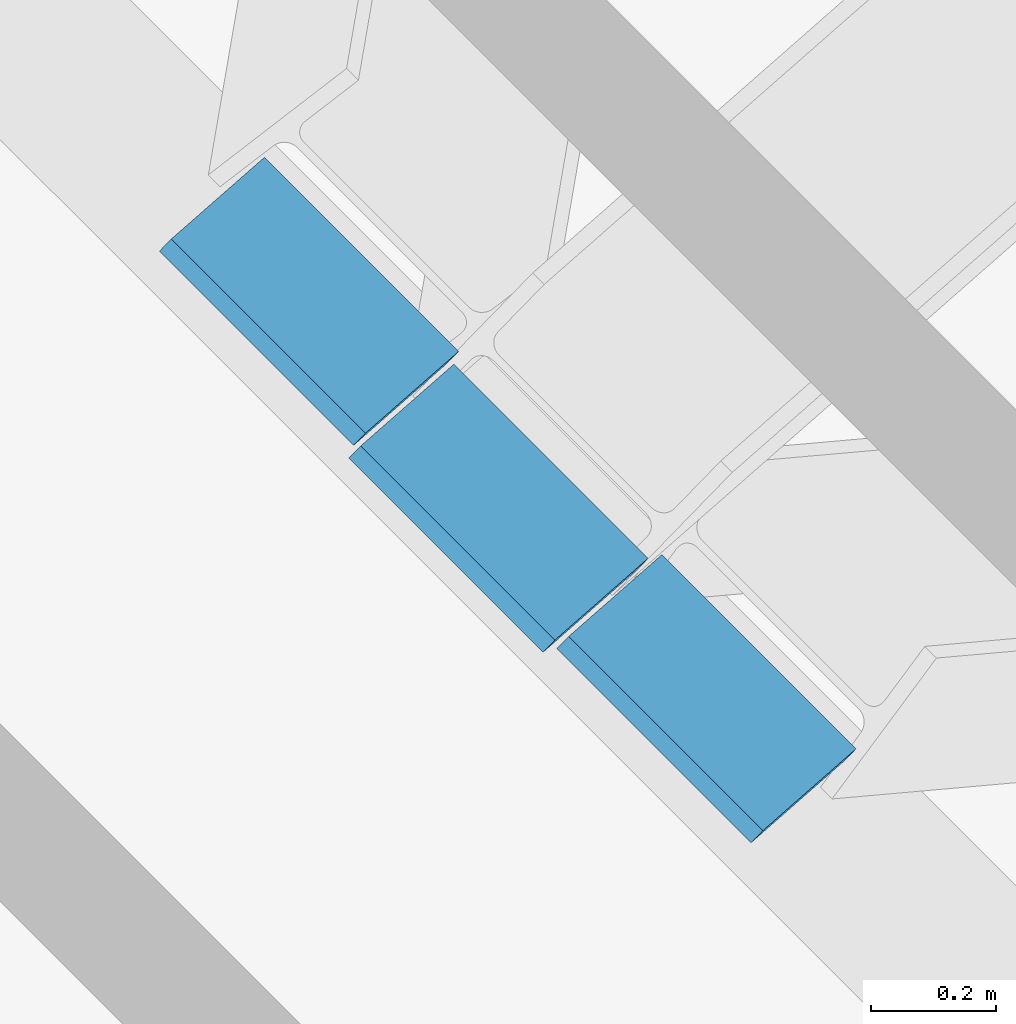
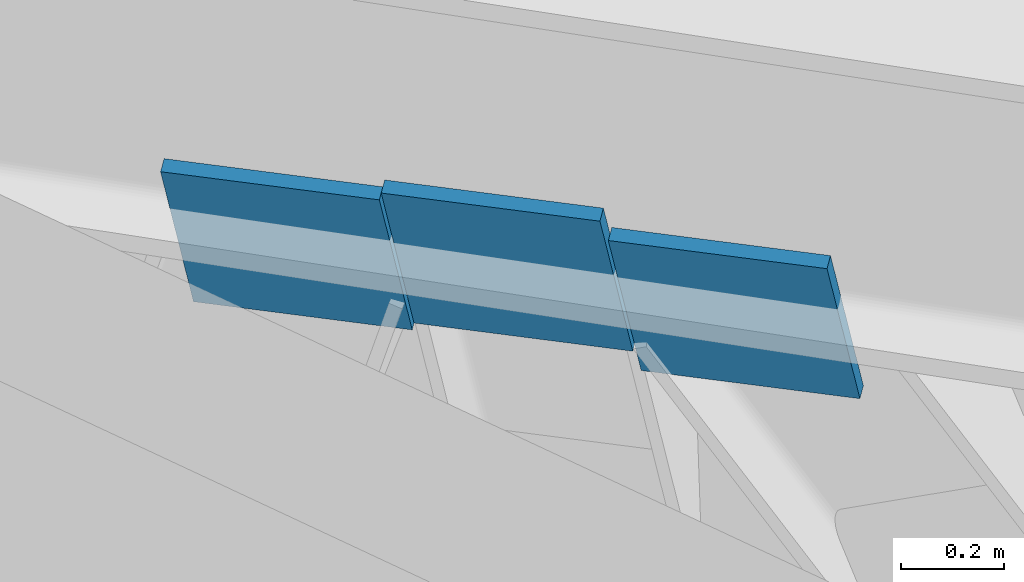
# One storey, part 17 of 24: 3 discrete accessories.
"""IFC4 building model written with IfcOpenShell, lengths in metres."""

from ifc_helpers import new_model, si_unit, direction, frame, origin, origin_2d, place, context, subcontext, project, spatial, rectangle, extrude, material, layer, layer_set, type_object, element, save


model = new_model("IFC4")

# Units and contexts
model_context = context("Model", 3, precision=1e-05, world=origin(), true_north=direction((0.0, 1.0)))
body_context = subcontext(model_context, "Body", "Model", "MODEL_VIEW")
ifc_project = project(units=[si_unit("LENGTHUNIT", "METRE"), si_unit("AREAUNIT", "SQUARE_METRE"), si_unit("VOLUMEUNIT", "CUBIC_METRE"), si_unit("PLANEANGLEUNIT", "RADIAN"), si_unit("MASSUNIT", "GRAM", prefix="KILO")], contexts=[model_context])

# Site, building, storey
site_placement = place(None, origin())
site = spatial("IfcSite", under=ifc_project, at=site_placement, CompositionType="ELEMENT")
building_placement = place(site_placement, origin())
building = spatial("IfcBuilding", under=site, at=building_placement, Name="Mopane Tessera Tower", CompositionType="ELEMENT")
storey_placement = place(building_placement, frame((0.0, 0.0, 148.60009765625)))
storey = spatial("IfcBuildingStorey", under=building, at=storey_placement, Name="L30", CompositionType="ELEMENT", Elevation=148.60009765625)

# Discrete accessories
ifc_material = material(Name="Structural steel S460", Category="steel")
ifc_layer = layer(ifc_material, 0.030029296875)
ifc_layer_set = layer_set([ifc_layer], Name="Structural steel S460")
discrete_accessory_type = type_object("IfcDiscreteAccessoryType", Name="Truss node plate 30 mm", PredefinedType="BRACKET", material=ifc_layer_set)
for number, where, z_axis, x_axis, name in (
    (1, (23.366455078125, 19.4755859375, 7.02099609375), (-0.309393348836, -0.271290719669, 0.911414889673), (-0.636311085764, -0.653187245506, -0.410432240987), "Truss node plate s bt L30 E3-N0 2"),
    (2, (23.034912109375, 19.779296875, 7.06494140625), (-0.309393348836, -0.271290719669, 0.911414889673), (-0.636311085764, -0.653187245506, -0.410432240987), "Truss node plate s bt L30 E3-N0 4"),
    (3, (22.73291015625, 20.109130859375, 7.02099609375), (-0.309393348836, -0.271290719669, 0.911414889673), (-0.636311085764, -0.653187245506, -0.410432240987), "Truss node plate s bt L30 E3-N0 5"),
):
    element("IfcDiscreteAccessory", number, at=place(storey_placement, frame(where, z_axis=z_axis, x_axis=x_axis)), inside=storey, type_object=discrete_accessory_type, Name=name, PredefinedType="BRACKET", context=body_context, shape_type="SweptSolid", body=[
        extrude(rectangle(XDim=0.030029296875, YDim=0.43798828125, at=origin_2d()), origin(), (0.0, 0.0, 1.0), 0.48046875),
    ])

save(model, "model.ifc")
